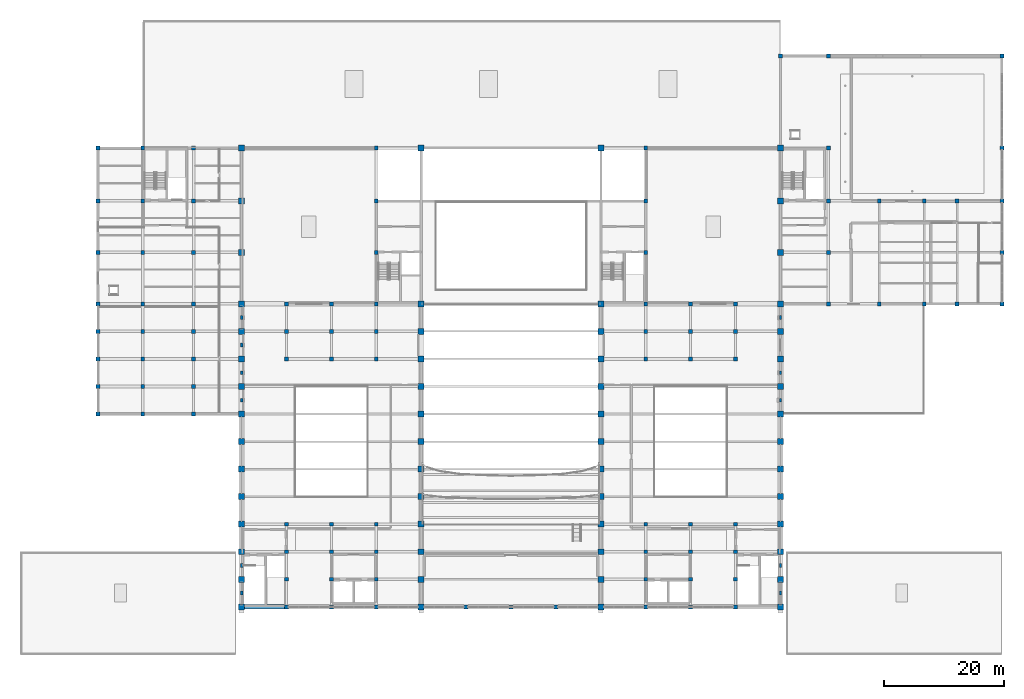
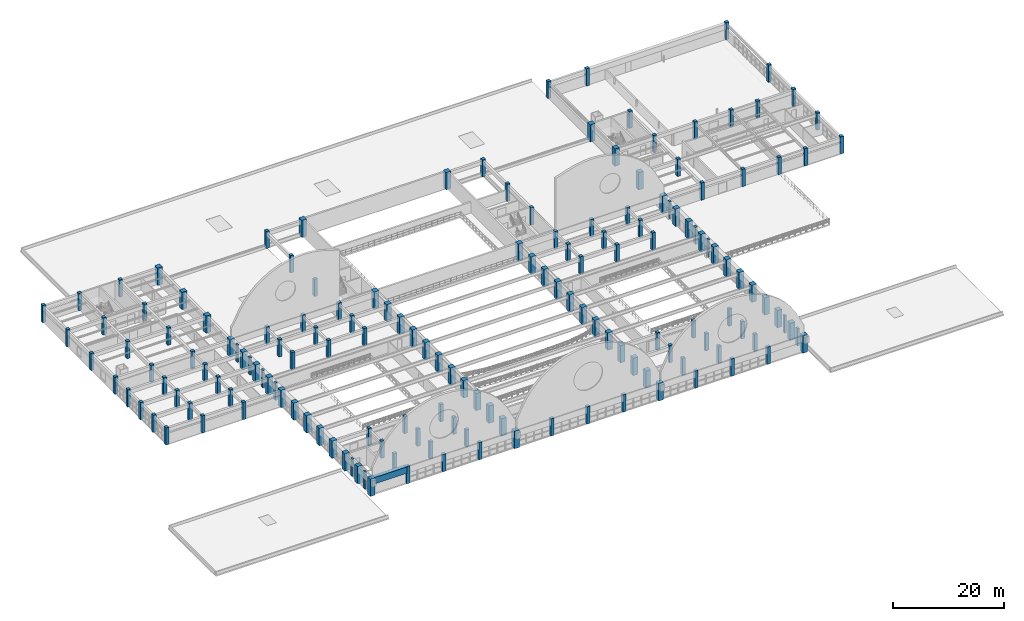
# One storey, part 1 of 74: 159 columns, 1 beam.
"""IFC4 building model written with IfcOpenShell, lengths in metres."""

from ifc_helpers import new_model, si_unit, direction, frame, origin, origin_2d, place, context, subcontext, project, spatial, rectangle, extrude, material, material_profile, profile_set, type_object, element, save


model = new_model("IFC4")

# Units and contexts
model_context = context("Model", 3, precision=1e-05, world=origin(), true_north=direction((0.0, 1.0)))
body_context = subcontext(model_context, "Body", "Model", "MODEL_VIEW")
ifc_project = project(units=[si_unit("LENGTHUNIT", "METRE"), si_unit("AREAUNIT", "SQUARE_METRE"), si_unit("VOLUMEUNIT", "CUBIC_METRE"), si_unit("PLANEANGLEUNIT", "RADIAN"), si_unit("MASSUNIT", "GRAM", prefix="KILO")], contexts=[model_context])

# Site, building, storey
site_placement = place(None, origin())
site = spatial("IfcSite", under=ifc_project, at=site_placement, CompositionType="ELEMENT")
building_placement = place(site_placement, origin())
building = spatial("IfcBuilding", under=site, at=building_placement, Name="Muzn Square Opera House", CompositionType="ELEMENT")
storey_placement = place(building_placement, frame((0.0, 0.0, 14.199951171875)))
storey = spatial("IfcBuildingStorey", under=building, at=storey_placement, Name="L03", CompositionType="ELEMENT", Elevation=14.199951171875)

# Columns
ifc_material = material(Name="Concrete C45/55", Category="concrete")
ifc_material_profile_1 = material_profile(ifc_material, rectangle(XDim=0.39990234375, YDim=0.64990234375, at=origin_2d()), Name="RC 400x650", Category="concrete")
ifc_profile_set_1 = profile_set([ifc_material_profile_1], Name="Concrete C45/55")
column_type_1 = type_object("IfcColumnType", Name="Facade Pilaster 400x650", PredefinedType="PILASTER", material=ifc_profile_set_1)
for number, where, z_axis, x_axis, name in (
    (1, (43.0, 24.300048828125, 0.0), (0.0, 0.0, 1.0), (1.0, 0.0, 0.0), "Engaged Pilaster PIL-L03-PIL-4065-430_243"),
    (2, (43.0, 28.89990234375, 0.0), (0.0, 0.0, 1.0), (1.0, 0.0, 0.0), "Engaged Pilaster PIL-L03-PIL-4065-430_289"),
    (3, (43.0, 56.5, 0.0), (0.0, 0.0, 1.0), (1.0, 0.0, 0.0), "Engaged Pilaster PIL-L03-PIL-4065-430_565"),
    (4, (43.0, 61.10009765625, 0.0), (0.0, 0.0, 1.0), (1.0, 0.0, 0.0), "Engaged Pilaster PIL-L03-PIL-4065-430_611"),
    (5, (43.0, 65.699951171875, 0.0), (0.0, 0.0, 1.0), (1.0, 0.0, 0.0), "Engaged Pilaster PIL-L03-PIL-4065-430_657"),
    (6, (43.0, 70.300048828125, 0.0), (0.0, 0.0, 1.0), (1.0, 0.0, 0.0), "Engaged Pilaster PIL-L03-PIL-4065-430_703"),
    (7, (133.0, 24.300048828125, 0.0), (0.0, 0.0, 1.0), (1.0, 0.0, 0.0), "Engaged Pilaster PIL-L03-PIL-4065-1330_243"),
    (8, (133.0, 28.89990234375, 0.0), (0.0, 0.0, 1.0), (1.0, 0.0, 0.0), "Engaged Pilaster PIL-L03-PIL-4065-1330_289"),
    (9, (133.0, 56.5, 0.0), (0.0, 0.0, 1.0), (1.0, 0.0, 0.0), "Engaged Pilaster PIL-L03-PIL-4065-1330_565"),
    (10, (133.0, 61.10009765625, 0.0), (0.0, 0.0, 1.0), (1.0, 0.0, 0.0), "Engaged Pilaster PIL-L03-PIL-4065-1330_611"),
    (11, (133.0, 70.300048828125, 0.0), (0.0, 0.0, 1.0), (1.0, 0.0, 0.0), "Engaged Pilaster PIL-L03-PIL-4065-1330_703"),
):
    element("IfcColumn", number, at=place(storey_placement, frame(where, z_axis=z_axis, x_axis=x_axis)), inside=storey, type_object=column_type_1, Name=name, PredefinedType="PILASTER", context=body_context, shape_type="SweptSolid", body=[
        extrude(rectangle(XDim=0.39990234375, YDim=0.64990234375, at=origin_2d()), origin(), (0.0, 0.0, 1.0), 3.800048828125),
    ])
ifc_material_profile_2 = material_profile(ifc_material, rectangle(XDim=1.0, YDim=1.0, at=origin_2d()), Name="RC 1000x1000", Category="concrete")
ifc_profile_set_2 = profile_set([ifc_material_profile_2], Name="Concrete C45/55")
column_type_2 = type_object("IfcColumnType", Name="Frame Column 1000x1000", PredefinedType="COLUMN", material=ifc_profile_set_2)
for number, where, z_axis, x_axis, name in (
    (12, (43.0, 22.0, 0.0), (0.0, 0.0, 1.0), (1.0, 0.0, 0.0), "Column COL-L03-COL-1000-430_220"),
    (13, (43.0, 26.60009765625, 0.0), (0.0, 0.0, 1.0), (1.0, 0.0, 0.0), "Column COL-L03-COL-1000-430_266"),
    (14, (43.0, 31.199951171875, 0.0), (0.0, 0.0, 1.0), (1.0, 0.0, 0.0), "Column COL-L03-COL-1000-430_312"),
    (15, (43.0, 35.800048828125, 0.0), (0.0, 0.0, 1.0), (1.0, 0.0, 0.0), "Column COL-L03-COL-1000-430_358"),
    (16, (43.0, 40.39990234375, 0.0), (0.0, 0.0, 1.0), (1.0, 0.0, 0.0), "Column COL-L03-COL-1000-430_404"),
    (17, (43.0, 45.0, 0.0), (0.0, 0.0, 1.0), (1.0, 0.0, 0.0), "Column COL-L03-COL-1000-430_450"),
    (18, (43.0, 49.60009765625, 0.0), (0.0, 0.0, 1.0), (1.0, 0.0, 0.0), "Column COL-L03-COL-1000-430_496"),
    (19, (43.0, 54.199951171875, 0.0), (0.0, 0.0, 1.0), (1.0, 0.0, 0.0), "Column COL-L03-COL-1000-430_542"),
    (20, (43.0, 58.800048828125, 0.0), (0.0, 0.0, 1.0), (1.0, 0.0, 0.0), "Column COL-L03-COL-1000-430_588"),
    (21, (43.0, 63.39990234375, 0.0), (0.0, 0.0, 1.0), (1.0, 0.0, 0.0), "Column COL-L03-COL-1000-430_634"),
    (22, (43.0, 68.0, 0.0), (0.0, 0.0, 1.0), (1.0, 0.0, 0.0), "Column COL-L03-COL-1000-430_680"),
    (23, (43.0, 72.60009765625, 0.0), (0.0, 0.0, 1.0), (1.0, 0.0, 0.0), "Column COL-L03-COL-1000-430_726"),
    (24, (43.0, 81.199951171875, 0.0), (0.0, 0.0, 1.0), (1.0, 0.0, 0.0), "Column COL-L03-COL-1000-430_812"),
    (25, (43.0, 89.800048828125, 0.0), (0.0, 0.0, 1.0), (1.0, 0.0, 0.0), "Column COL-L03-COL-1000-430_898"),
    (26, (43.0, 98.60009765625, 0.0), (0.0, 0.0, 1.0), (1.0, 0.0, 0.0), "Column COL-L03-COL-1000-430_986"),
    (27, (73.0, 22.0, 0.0), (0.0, 0.0, 1.0), (1.0, 0.0, 0.0), "Column COL-L03-COL-1000-730_220"),
    (28, (73.0, 26.60009765625, 0.0), (0.0, 0.0, 1.0), (1.0, 0.0, 0.0), "Column COL-L03-COL-1000-730_266"),
    (29, (73.0, 31.199951171875, 0.0), (0.0, 0.0, 1.0), (1.0, 0.0, 0.0), "Column COL-L03-COL-1000-730_312"),
    (30, (73.0, 35.800048828125, 0.0), (0.0, 0.0, 1.0), (1.0, 0.0, 0.0), "Column COL-L03-COL-1000-730_358"),
    (31, (73.0, 40.39990234375, 0.0), (0.0, 0.0, 1.0), (1.0, 0.0, 0.0), "Column COL-L03-COL-1000-730_404"),
    (32, (73.0, 45.0, 0.0), (0.0, 0.0, 1.0), (1.0, 0.0, 0.0), "Column COL-L03-COL-1000-730_450"),
    (33, (73.0, 49.60009765625, 0.0), (0.0, 0.0, 1.0), (1.0, 0.0, 0.0), "Column COL-L03-COL-1000-730_496"),
    (34, (73.0, 54.199951171875, 0.0), (0.0, 0.0, 1.0), (1.0, 0.0, 0.0), "Column COL-L03-COL-1000-730_542"),
    (35, (73.0, 58.800048828125, 0.0), (0.0, 0.0, 1.0), (1.0, 0.0, 0.0), "Column COL-L03-COL-1000-730_588"),
    (36, (73.0, 63.39990234375, 0.0), (0.0, 0.0, 1.0), (1.0, 0.0, 0.0), "Column COL-L03-COL-1000-730_634"),
    (37, (73.0, 68.0, 0.0), (0.0, 0.0, 1.0), (1.0, 0.0, 0.0), "Column COL-L03-COL-1000-730_680"),
    (38, (73.0, 72.60009765625, 0.0), (0.0, 0.0, 1.0), (1.0, 0.0, 0.0), "Column COL-L03-COL-1000-730_726"),
    (39, (73.0, 98.60009765625, 0.0), (0.0, 0.0, 1.0), (1.0, 0.0, 0.0), "Column COL-L03-COL-1000-730_986"),
    (40, (103.0, 22.0, 0.0), (0.0, 0.0, 1.0), (1.0, 0.0, 0.0), "Column COL-L03-COL-1000-1030_220"),
    (41, (103.0, 26.60009765625, 0.0), (0.0, 0.0, 1.0), (1.0, 0.0, 0.0), "Column COL-L03-COL-1000-1030_266"),
    (42, (103.0, 31.199951171875, 0.0), (0.0, 0.0, 1.0), (1.0, 0.0, 0.0), "Column COL-L03-COL-1000-1030_312"),
    (43, (103.0, 35.800048828125, 0.0), (0.0, 0.0, 1.0), (1.0, 0.0, 0.0), "Column COL-L03-COL-1000-1030_358"),
    (44, (103.0, 40.39990234375, 0.0), (0.0, 0.0, 1.0), (1.0, 0.0, 0.0), "Column COL-L03-COL-1000-1030_404"),
    (45, (103.0, 45.0, 0.0), (0.0, 0.0, 1.0), (1.0, 0.0, 0.0), "Column COL-L03-COL-1000-1030_450"),
    (46, (103.0, 49.60009765625, 0.0), (0.0, 0.0, 1.0), (1.0, 0.0, 0.0), "Column COL-L03-COL-1000-1030_496"),
    (47, (103.0, 54.199951171875, 0.0), (0.0, 0.0, 1.0), (1.0, 0.0, 0.0), "Column COL-L03-COL-1000-1030_542"),
    (48, (103.0, 58.800048828125, 0.0), (0.0, 0.0, 1.0), (1.0, 0.0, 0.0), "Column COL-L03-COL-1000-1030_588"),
    (49, (103.0, 63.39990234375, 0.0), (0.0, 0.0, 1.0), (1.0, 0.0, 0.0), "Column COL-L03-COL-1000-1030_634"),
    (50, (103.0, 68.0, 0.0), (0.0, 0.0, 1.0), (1.0, 0.0, 0.0), "Column COL-L03-COL-1000-1030_680"),
    (51, (103.0, 72.60009765625, 0.0), (0.0, 0.0, 1.0), (1.0, 0.0, 0.0), "Column COL-L03-COL-1000-1030_726"),
    (52, (103.0, 98.60009765625, 0.0), (0.0, 0.0, 1.0), (1.0, 0.0, 0.0), "Column COL-L03-COL-1000-1030_986"),
    (53, (133.0, 22.0, 0.0), (0.0, 0.0, 1.0), (1.0, 0.0, 0.0), "Column COL-L03-COL-1000-1330_220"),
    (54, (133.0, 26.60009765625, 0.0), (0.0, 0.0, 1.0), (1.0, 0.0, 0.0), "Column COL-L03-COL-1000-1330_266"),
    (55, (133.0, 31.199951171875, 0.0), (0.0, 0.0, 1.0), (1.0, 0.0, 0.0), "Column COL-L03-COL-1000-1330_312"),
    (56, (133.0, 35.800048828125, 0.0), (0.0, 0.0, 1.0), (1.0, 0.0, 0.0), "Column COL-L03-COL-1000-1330_358"),
    (57, (133.0, 40.39990234375, 0.0), (0.0, 0.0, 1.0), (1.0, 0.0, 0.0), "Column COL-L03-COL-1000-1330_404"),
    (58, (133.0, 45.0, 0.0), (0.0, 0.0, 1.0), (1.0, 0.0, 0.0), "Column COL-L03-COL-1000-1330_450"),
    (59, (133.0, 49.60009765625, 0.0), (0.0, 0.0, 1.0), (1.0, 0.0, 0.0), "Column COL-L03-COL-1000-1330_496"),
    (60, (133.0, 54.199951171875, 0.0), (0.0, 0.0, 1.0), (1.0, 0.0, 0.0), "Column COL-L03-COL-1000-1330_542"),
    (61, (133.0, 58.800048828125, 0.0), (0.0, 0.0, 1.0), (1.0, 0.0, 0.0), "Column COL-L03-COL-1000-1330_588"),
    (62, (133.0, 63.39990234375, 0.0), (0.0, 0.0, 1.0), (1.0, 0.0, 0.0), "Column COL-L03-COL-1000-1330_634"),
    (63, (133.0, 68.0, 0.0), (0.0, 0.0, 1.0), (1.0, 0.0, 0.0), "Column COL-L03-COL-1000-1330_680"),
    (64, (133.0, 72.60009765625, 0.0), (0.0, 0.0, 1.0), (1.0, 0.0, 0.0), "Column COL-L03-COL-1000-1330_726"),
    (65, (133.0, 81.199951171875, 0.0), (0.0, 0.0, 1.0), (1.0, 0.0, 0.0), "Column COL-L03-COL-1000-1330_812"),
    (66, (133.0, 89.800048828125, 0.0), (0.0, 0.0, 1.0), (1.0, 0.0, 0.0), "Column COL-L03-COL-1000-1330_898"),
    (67, (133.0, 98.60009765625, 0.0), (0.0, 0.0, 1.0), (1.0, 0.0, 0.0), "Column COL-L03-COL-1000-1330_986"),
):
    element("IfcColumn", number, at=place(storey_placement, frame(where, z_axis=z_axis, x_axis=x_axis)), inside=storey, type_object=column_type_2, Name=name, PredefinedType="COLUMN", context=body_context, shape_type="SweptSolid", body=[
        extrude(rectangle(XDim=1.0, YDim=1.0, at=origin_2d()), origin(), (0.0, 0.0, 1.0), 3.800048828125),
    ])
ifc_material_profile_3 = material_profile(ifc_material, rectangle(XDim=0.64990234375, YDim=0.64990234375, at=origin_2d()), Name="RC 650x650", Category="concrete")
ifc_profile_set_3 = profile_set([ifc_material_profile_3], Name="Concrete C45/55")
column_type_3 = type_object("IfcColumnType", Name="Frame Column 650x650", PredefinedType="COLUMN", material=ifc_profile_set_3)
for number, where, z_axis, x_axis, name in (
    (68, (19.0, 54.199951171875, 0.0), (0.0, 0.0, 1.0), (1.0, 0.0, 0.0), "Column COL-L03-COL-650-190_542"),
    (69, (19.0, 58.800048828125, 0.0), (0.0, 0.0, 1.0), (1.0, 0.0, 0.0), "Column COL-L03-COL-650-190_588"),
    (70, (19.0, 63.39990234375, 0.0), (0.0, 0.0, 1.0), (1.0, 0.0, 0.0), "Column COL-L03-COL-650-190_634"),
    (71, (19.0, 68.0, 0.0), (0.0, 0.0, 1.0), (1.0, 0.0, 0.0), "Column COL-L03-COL-650-190_680"),
    (72, (19.0, 72.60009765625, 0.0), (0.0, 0.0, 1.0), (1.0, 0.0, 0.0), "Column COL-L03-COL-650-190_726"),
    (73, (19.0, 81.199951171875, 0.0), (0.0, 0.0, 1.0), (1.0, 0.0, 0.0), "Column COL-L03-COL-650-190_812"),
    (74, (19.0, 89.800048828125, 0.0), (0.0, 0.0, 1.0), (1.0, 0.0, 0.0), "Column COL-L03-COL-650-190_898"),
    (75, (19.0, 98.60009765625, 0.0), (0.0, 0.0, 1.0), (1.0, 0.0, 0.0), "Column COL-L03-COL-650-190_986"),
    (76, (26.5, 54.199951171875, 0.0), (0.0, 0.0, 1.0), (1.0, 0.0, 0.0), "Column COL-L03-COL-650-265_542"),
    (77, (26.5, 58.800048828125, 0.0), (0.0, 0.0, 1.0), (1.0, 0.0, 0.0), "Column COL-L03-COL-650-265_588"),
    (78, (26.5, 63.39990234375, 0.0), (0.0, 0.0, 1.0), (1.0, 0.0, 0.0), "Column COL-L03-COL-650-265_634"),
    (79, (26.5, 68.0, 0.0), (0.0, 0.0, 1.0), (1.0, 0.0, 0.0), "Column COL-L03-COL-650-265_680"),
    (80, (26.5, 72.60009765625, 0.0), (0.0, 0.0, 1.0), (1.0, 0.0, 0.0), "Column COL-L03-COL-650-265_726"),
    (81, (26.5, 81.199951171875, 0.0), (0.0, 0.0, 1.0), (1.0, 0.0, 0.0), "Column COL-L03-COL-650-265_812"),
    (82, (26.5, 89.800048828125, 0.0), (0.0, 0.0, 1.0), (1.0, 0.0, 0.0), "Column COL-L03-COL-650-265_898"),
    (83, (26.5, 98.60009765625, 0.0), (0.0, 0.0, 1.0), (1.0, 0.0, 0.0), "Column COL-L03-COL-650-265_986"),
    (84, (35.0, 54.199951171875, 0.0), (0.0, 0.0, 1.0), (1.0, 0.0, 0.0), "Column COL-L03-COL-650-350_542"),
    (85, (35.0, 58.800048828125, 0.0), (0.0, 0.0, 1.0), (1.0, 0.0, 0.0), "Column COL-L03-COL-650-350_588"),
    (86, (35.0, 63.39990234375, 0.0), (0.0, 0.0, 1.0), (1.0, 0.0, 0.0), "Column COL-L03-COL-650-350_634"),
    (87, (35.0, 68.0, 0.0), (0.0, 0.0, 1.0), (1.0, 0.0, 0.0), "Column COL-L03-COL-650-350_680"),
    (88, (35.0, 72.60009765625, 0.0), (0.0, 0.0, 1.0), (1.0, 0.0, 0.0), "Column COL-L03-COL-650-350_726"),
    (89, (35.0, 81.199951171875, 0.0), (0.0, 0.0, 1.0), (1.0, 0.0, 0.0), "Column COL-L03-COL-650-350_812"),
    (90, (35.0, 89.800048828125, 0.0), (0.0, 0.0, 1.0), (1.0, 0.0, 0.0), "Column COL-L03-COL-650-350_898"),
    (91, (35.0, 98.60009765625, 0.0), (0.0, 0.0, 1.0), (1.0, 0.0, 0.0), "Column COL-L03-COL-650-350_986"),
    (92, (50.5, 22.0, 0.0), (0.0, 0.0, 1.0), (1.0, 0.0, 0.0), "Column COL-L03-COL-650-505_220"),
    (93, (50.5, 26.60009765625, 0.0), (0.0, 0.0, 1.0), (1.0, 0.0, 0.0), "Column COL-L03-COL-650-505_266"),
    (94, (50.5, 31.199951171875, 0.0), (0.0, 0.0, 1.0), (1.0, 0.0, 0.0), "Column COL-L03-COL-650-505_312"),
    (95, (50.5, 35.800048828125, 0.0), (0.0, 0.0, 1.0), (1.0, 0.0, 0.0), "Column COL-L03-COL-650-505_358"),
    (96, (50.5, 63.39990234375, 0.0), (0.0, 0.0, 1.0), (1.0, 0.0, 0.0), "Column COL-L03-COL-650-505_634"),
    (97, (50.5, 68.0, 0.0), (0.0, 0.0, 1.0), (1.0, 0.0, 0.0), "Column COL-L03-COL-650-505_680"),
    (98, (50.5, 72.60009765625, 0.0), (0.0, 0.0, 1.0), (1.0, 0.0, 0.0), "Column COL-L03-COL-650-505_726"),
    (99, (58.0, 22.0, 0.0), (0.0, 0.0, 1.0), (1.0, 0.0, 0.0), "Column COL-L03-COL-650-580_220"),
    (100, (58.0, 26.60009765625, 0.0), (0.0, 0.0, 1.0), (1.0, 0.0, 0.0), "Column COL-L03-COL-650-580_266"),
    (101, (58.0, 31.199951171875, 0.0), (0.0, 0.0, 1.0), (1.0, 0.0, 0.0), "Column COL-L03-COL-650-580_312"),
    (102, (58.0, 35.800048828125, 0.0), (0.0, 0.0, 1.0), (1.0, 0.0, 0.0), "Column COL-L03-COL-650-580_358"),
    (103, (58.0, 63.39990234375, 0.0), (0.0, 0.0, 1.0), (1.0, 0.0, 0.0), "Column COL-L03-COL-650-580_634"),
    (104, (58.0, 68.0, 0.0), (0.0, 0.0, 1.0), (1.0, 0.0, 0.0), "Column COL-L03-COL-650-580_680"),
    (105, (58.0, 72.60009765625, 0.0), (0.0, 0.0, 1.0), (1.0, 0.0, 0.0), "Column COL-L03-COL-650-580_726"),
    (106, (65.5, 22.0, 0.0), (0.0, 0.0, 1.0), (1.0, 0.0, 0.0), "Column COL-L03-COL-650-655_220"),
    (107, (65.5, 26.60009765625, 0.0), (0.0, 0.0, 1.0), (1.0, 0.0, 0.0), "Column COL-L03-COL-650-655_266"),
    (108, (65.5, 31.199951171875, 0.0), (0.0, 0.0, 1.0), (1.0, 0.0, 0.0), "Column COL-L03-COL-650-655_312"),
    (109, (65.5, 35.800048828125, 0.0), (0.0, 0.0, 1.0), (1.0, 0.0, 0.0), "Column COL-L03-COL-650-655_358"),
    (110, (65.5, 63.39990234375, 0.0), (0.0, 0.0, 1.0), (1.0, 0.0, 0.0), "Column COL-L03-COL-650-655_634"),
    (111, (65.5, 68.0, 0.0), (0.0, 0.0, 1.0), (1.0, 0.0, 0.0), "Column COL-L03-COL-650-655_680"),
    (112, (65.5, 72.60009765625, 0.0), (0.0, 0.0, 1.0), (1.0, 0.0, 0.0), "Column COL-L03-COL-650-655_726"),
    (113, (65.5, 81.199951171875, 0.0), (0.0, 0.0, 1.0), (1.0, 0.0, 0.0), "Column COL-L03-COL-650-655_812"),
    (114, (65.5, 89.800048828125, 0.0), (0.0, 0.0, 1.0), (1.0, 0.0, 0.0), "Column COL-L03-COL-650-655_898"),
    (115, (65.5, 98.60009765625, 0.0), (0.0, 0.0, 1.0), (1.0, 0.0, 0.0), "Column COL-L03-COL-650-655_986"),
    (116, (80.5, 22.0, 0.0), (0.0, 0.0, 1.0), (1.0, 0.0, 0.0), "Column COL-L03-COL-650-805_220"),
    (117, (88.0, 22.0, 0.0), (0.0, 0.0, 1.0), (1.0, 0.0, 0.0), "Column COL-L03-COL-650-880_220"),
    (118, (95.5, 22.0, 0.0), (0.0, 0.0, 1.0), (1.0, 0.0, 0.0), "Column COL-L03-COL-650-955_220"),
    (119, (110.5, 22.0, 0.0), (0.0, 0.0, 1.0), (1.0, 0.0, 0.0), "Column COL-L03-COL-650-1105_220"),
    (120, (110.5, 26.60009765625, 0.0), (0.0, 0.0, 1.0), (1.0, 0.0, 0.0), "Column COL-L03-COL-650-1105_266"),
    (121, (110.5, 31.199951171875, 0.0), (0.0, 0.0, 1.0), (1.0, 0.0, 0.0), "Column COL-L03-COL-650-1105_312"),
    (122, (110.5, 35.800048828125, 0.0), (0.0, 0.0, 1.0), (1.0, 0.0, 0.0), "Column COL-L03-COL-650-1105_358"),
    (123, (110.5, 63.39990234375, 0.0), (0.0, 0.0, 1.0), (1.0, 0.0, 0.0), "Column COL-L03-COL-650-1105_634"),
    (124, (110.5, 68.0, 0.0), (0.0, 0.0, 1.0), (1.0, 0.0, 0.0), "Column COL-L03-COL-650-1105_680"),
    (125, (110.5, 72.60009765625, 0.0), (0.0, 0.0, 1.0), (1.0, 0.0, 0.0), "Column COL-L03-COL-650-1105_726"),
    (126, (110.5, 81.199951171875, 0.0), (0.0, 0.0, 1.0), (1.0, 0.0, 0.0), "Column COL-L03-COL-650-1105_812"),
    (127, (110.5, 89.800048828125, 0.0), (0.0, 0.0, 1.0), (1.0, 0.0, 0.0), "Column COL-L03-COL-650-1105_898"),
    (128, (110.5, 98.60009765625, 0.0), (0.0, 0.0, 1.0), (1.0, 0.0, 0.0), "Column COL-L03-COL-650-1105_986"),
    (129, (118.0, 22.0, 0.0), (0.0, 0.0, 1.0), (1.0, 0.0, 0.0), "Column COL-L03-COL-650-1180_220"),
    (130, (118.0, 26.60009765625, 0.0), (0.0, 0.0, 1.0), (1.0, 0.0, 0.0), "Column COL-L03-COL-650-1180_266"),
    (131, (118.0, 31.199951171875, 0.0), (0.0, 0.0, 1.0), (1.0, 0.0, 0.0), "Column COL-L03-COL-650-1180_312"),
    (132, (118.0, 35.800048828125, 0.0), (0.0, 0.0, 1.0), (1.0, 0.0, 0.0), "Column COL-L03-COL-650-1180_358"),
    (133, (118.0, 63.39990234375, 0.0), (0.0, 0.0, 1.0), (1.0, 0.0, 0.0), "Column COL-L03-COL-650-1180_634"),
    (134, (118.0, 68.0, 0.0), (0.0, 0.0, 1.0), (1.0, 0.0, 0.0), "Column COL-L03-COL-650-1180_680"),
    (135, (118.0, 72.60009765625, 0.0), (0.0, 0.0, 1.0), (1.0, 0.0, 0.0), "Column COL-L03-COL-650-1180_726"),
    (136, (125.5, 22.0, 0.0), (0.0, 0.0, 1.0), (1.0, 0.0, 0.0), "Column COL-L03-COL-650-1255_220"),
    (137, (125.5, 26.60009765625, 0.0), (0.0, 0.0, 1.0), (1.0, 0.0, 0.0), "Column COL-L03-COL-650-1255_266"),
    (138, (125.5, 31.199951171875, 0.0), (0.0, 0.0, 1.0), (1.0, 0.0, 0.0), "Column COL-L03-COL-650-1255_312"),
    (139, (125.5, 35.800048828125, 0.0), (0.0, 0.0, 1.0), (1.0, 0.0, 0.0), "Column COL-L03-COL-650-1255_358"),
    (140, (125.5, 63.39990234375, 0.0), (0.0, 0.0, 1.0), (1.0, 0.0, 0.0), "Column COL-L03-COL-650-1255_634"),
    (141, (125.5, 68.0, 0.0), (0.0, 0.0, 1.0), (1.0, 0.0, 0.0), "Column COL-L03-COL-650-1255_680"),
    (142, (125.5, 72.60009765625, 0.0), (0.0, 0.0, 1.0), (1.0, 0.0, 0.0), "Column COL-L03-COL-650-1255_726"),
    (143, (141.0, 72.60009765625, 0.0), (0.0, 0.0, 1.0), (1.0, 0.0, 0.0), "Column COL-L03-COL-650-1410_726"),
    (144, (141.0, 81.199951171875, 0.0), (0.0, 0.0, 1.0), (1.0, 0.0, 0.0), "Column COL-L03-COL-650-1410_812"),
    (145, (141.0, 89.800048828125, 0.0), (0.0, 0.0, 1.0), (1.0, 0.0, 0.0), "Column COL-L03-COL-650-1410_898"),
    (146, (141.0, 98.60009765625, 0.0), (0.0, 0.0, 1.0), (1.0, 0.0, 0.0), "Column COL-L03-COL-650-1410_986"),
    (147, (149.5, 72.60009765625, 0.0), (0.0, 0.0, 1.0), (1.0, 0.0, 0.0), "Column COL-L03-COL-650-1495_726"),
    (148, (149.5, 89.800048828125, 0.0), (0.0, 0.0, 1.0), (1.0, 0.0, 0.0), "Column COL-L03-COL-650-1495_898"),
    (149, (157.0, 72.60009765625, 0.0), (0.0, 0.0, 1.0), (1.0, 0.0, 0.0), "Column COL-L03-COL-650-1570_726"),
    (150, (157.0, 89.800048828125, 0.0), (0.0, 0.0, 1.0), (1.0, 0.0, 0.0), "Column COL-L03-COL-650-1570_898"),
    (151, (162.5, 72.60009765625, 0.0), (0.0, 0.0, 1.0), (1.0, 0.0, 0.0), "Column COL-L03-COL-650-1625_726"),
    (152, (162.5, 89.800048828125, 0.0), (0.0, 0.0, 1.0), (1.0, 0.0, 0.0), "Column COL-L03-COL-650-1625_898"),
    (153, (170.0, 72.60009765625, 0.0), (0.0, 0.0, 1.0), (1.0, 0.0, 0.0), "Column COL-L03-COL-650-1700_726"),
    (154, (170.0, 81.199951171875, 0.0), (0.0, 0.0, 1.0), (1.0, 0.0, 0.0), "Column COL-L03-COL-650-1700_812"),
    (155, (170.0, 89.800048828125, 0.0), (0.0, 0.0, 1.0), (1.0, 0.0, 0.0), "Column COL-L03-COL-650-1700_898"),
    (156, (170.0, 98.60009765625, 0.0), (0.0, 0.0, 1.0), (1.0, 0.0, 0.0), "Column COL-L03-COL-650-1700_986"),
    (157, (133.0, 114.0, 0.0), (0.0, 0.0, 1.0), (1.0, 0.0, 0.0), "Column COL-N114-L03-013"),
    (158, (141.0, 114.0, 0.0), (0.0, 0.0, 1.0), (1.0, 0.0, 0.0), "Column COL-N114-L03-014"),
    (159, (170.0, 114.0, 0.0), (0.0, 0.0, 1.0), (1.0, 0.0, 0.0), "Column COL-N114-L03-015"),
):
    element("IfcColumn", number, at=place(storey_placement, frame(where, z_axis=z_axis, x_axis=x_axis)), inside=storey, type_object=column_type_3, Name=name, PredefinedType="COLUMN", context=body_context, shape_type="SweptSolid", body=[
        extrude(rectangle(XDim=0.64990234375, YDim=0.64990234375, at=origin_2d()), origin(), (0.0, 0.0, 1.0), 3.800048828125),
    ])

# Beam
ifc_material_profile_4 = material_profile(ifc_material, rectangle(XDim=0.800048828125, YDim=1.39990234375, at=origin_2d()), Name="RCB 800x1400", Category="concrete")
ifc_profile_set_4 = profile_set([ifc_material_profile_4], Name="Concrete C45/55")
beam_type = type_object("IfcBeamType", Name="Vault Springing Girder 800x1400", PredefinedType="BEAM", material=ifc_profile_set_4)
beam_placement = place(storey_placement, frame((43.491943359375, 22.0, 3.10009765625), z_axis=(1.0, 0.0, 0.0), x_axis=(0.0, 1.0, 0.0)))
element("IfcBeam", 160, at=beam_placement, inside=storey, type_object=beam_type, Name="Gable Support Girder BM-L03-BM-VS1400-435_220_502_220-2407", PredefinedType="BEAM", context=body_context, shape_type="SweptSolid", body=[
    extrude(rectangle(XDim=0.800048828125, YDim=1.39990234375, at=origin_2d()), origin(), (0.0, 0.0, 1.0), 6.691162109375),
])

save(model, "model.ifc")
